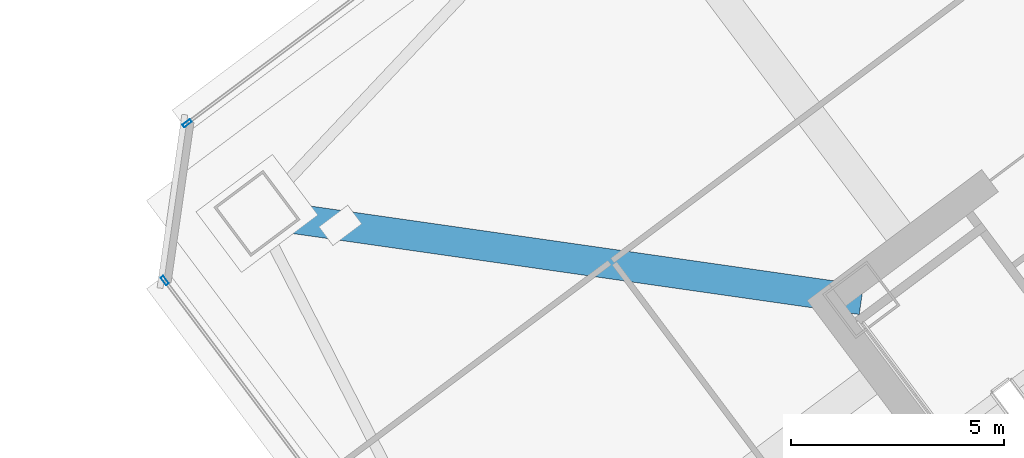
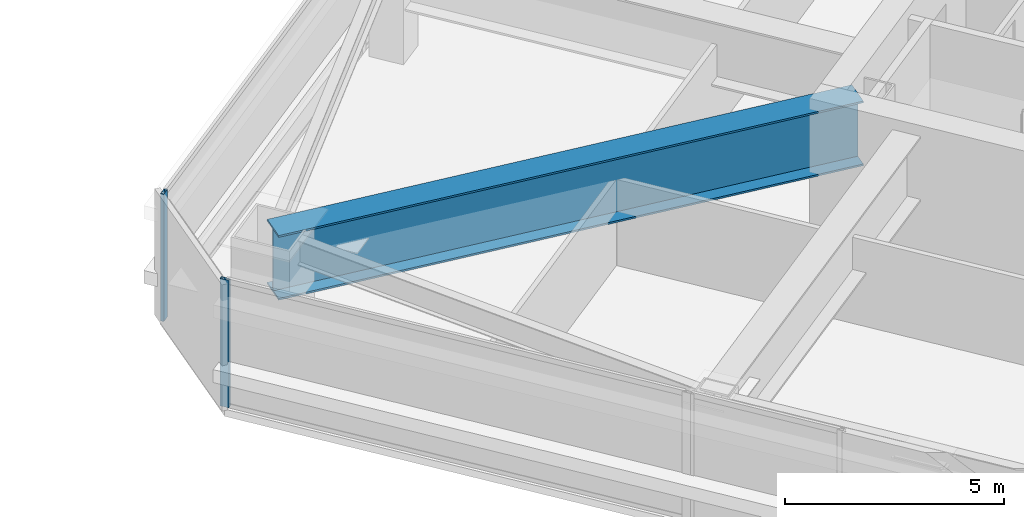
# One storey, part 23 of 49: 2 members, 1 beam, 2 elements without a shape of their own.
"""IFC4 building model written with IfcOpenShell, lengths in metres."""

from ifc_helpers import new_model, si_unit, direction, frame, origin, origin_2d, place, context, subcontext, project, spatial, hollow_rectangle, i_section, extrude, material, material_profile, profile_set, type_object, element, aggregate, save


model = new_model("IFC4")

# Units and contexts
model_context = context("Model", 3, precision=1e-05, world=origin(), true_north=direction((0.0, 1.0)))
body_context = subcontext(model_context, "Body", "Model", "MODEL_VIEW")
ifc_project = project(units=[si_unit("LENGTHUNIT", "METRE"), si_unit("AREAUNIT", "SQUARE_METRE"), si_unit("VOLUMEUNIT", "CUBIC_METRE"), si_unit("PLANEANGLEUNIT", "RADIAN"), si_unit("MASSUNIT", "GRAM", prefix="KILO")], contexts=[model_context])

# Site, building, storey
site_placement = place(None, origin())
site = spatial("IfcSite", under=ifc_project, at=site_placement, CompositionType="ELEMENT")
building_placement = place(site_placement, origin())
building = spatial("IfcBuilding", under=site, at=building_placement, Name="Tashvorn Skyway Center", CompositionType="ELEMENT")
storey_placement = place(building_placement, frame((0.0, 0.0, 106.25)))
storey = spatial("IfcBuildingStorey", under=building, at=storey_placement, Name="L28", CompositionType="ELEMENT", Elevation=106.25)

# Beam
ifc_material_1 = material(Name="Steel ASTM A572 Grade 50", Category="steel")
ifc_material_profile_1 = material_profile(ifc_material_1, i_section(OverallWidth=0.699951171875, OverallDepth=1.800048828125, WebThickness=0.031982421875, FlangeThickness=0.050048828125, at=origin_2d()), Name="PG1800x700")
ifc_profile_set_1 = profile_set([ifc_material_profile_1], Name="Steel ASTM A572 Grade 50")
beam_type = type_object("IfcBeamType", Name="BM-BEAM-PG1800x700", PredefinedType="BEAM", material=ifc_profile_set_1)
beam_placement = place(storey_placement, frame((89.919921875, 35.43994140625, 2.35009765625), z_axis=(0.989949153493, -0.141423737394, 0.0), x_axis=(0.141423737394, 0.989949153493, 0.0)))
element("IfcBeam", 1, at=beam_placement, inside=storey, type_object=beam_type, Name="Tower 2 L28 Setback Transfer Girder MC-NW", PredefinedType="BEAM", context=body_context, shape_type="SweptSolid", body=[
    extrude(i_section(OverallWidth=0.699951171875, OverallDepth=1.800048828125, WebThickness=0.031982421875, FlangeThickness=0.050048828125, at=origin_2d()), origin(), (0.0, 0.0, 1.0), 14.354248046875),
])

# Curtain wall, member
ifc_material_2 = material(Name="Thermally broken bronze-anodized aluminium 6063-T6", Category="aluminium")
curtain_wall_type = type_object("IfcCurtainWallType", Name="CW-CW-Z2", PredefinedType="NOTDEFINED", material=ifc_material_2)
curtain_wall_1_placement = place(storey_placement, origin())
curtain_wall_1 = element("IfcCurtainWall", 2, at=curtain_wall_1_placement, inside=storey, type_object=curtain_wall_type, Name="Tower 2 L28 West Unitised Curtain Wall Glazing Group 4", PredefinedType="NOTDEFINED")
ifc_material_profile_2 = material_profile(ifc_material_2, hollow_rectangle(XDim=0.080078125, YDim=0.219970703125, WallThickness=0.0048828125, at=origin_2d()), Name="ALU-MULL-80x220")
ifc_profile_set_2 = profile_set([ifc_material_profile_2], Name="Thermally broken bronze-anodized aluminium 6063-T6")
member_type = type_object("IfcMemberType", Name="CWM-CW-Z2", PredefinedType="MULLION", material=ifc_profile_set_2)
member_1_placement = place(storey_placement, frame((87.751953125, 33.864013671875, 0.0), z_axis=(0.0, 0.0, 1.0), x_axis=(-0.799999999998, -0.600000000002, 0.0)))
member_1 = element("IfcMember", 3, at=member_1_placement, type_object=member_type, Name="CW-Z2 mullion 2", PredefinedType="MULLION", context=body_context, shape_type="SweptSolid", body=[
    extrude(hollow_rectangle(XDim=0.080078125, YDim=0.219970703125, WallThickness=0.0048828125, at=origin_2d()), origin(), (0.0, 0.0, 1.0), 3.550048828125),
])
aggregate(curtain_wall_1, [member_1])

curtain_wall_2_placement = place(storey_placement, origin())
curtain_wall_2 = element("IfcCurtainWall", 4, at=curtain_wall_2_placement, inside=storey, type_object=curtain_wall_type, Name="Tower 2 L28 North Unitised Curtain Wall Glazing Group 1", PredefinedType="NOTDEFINED")
member_2_placement = place(storey_placement, frame((88.280029296875, 37.56005859375, 0.0), z_axis=(0.0, 0.0, 1.0), x_axis=(-0.600000000002, 0.799999999998, 0.0)))
member_2 = element("IfcMember", 5, at=member_2_placement, type_object=member_type, Name="CW-Z2 mullion 1", PredefinedType="MULLION", context=body_context, shape_type="SweptSolid", body=[
    extrude(hollow_rectangle(XDim=0.080078125, YDim=0.219970703125, WallThickness=0.0048828125, at=origin_2d()), origin(), (0.0, 0.0, 1.0), 3.550048828125),
])
aggregate(curtain_wall_2, [member_2])

save(model, "model.ifc")
